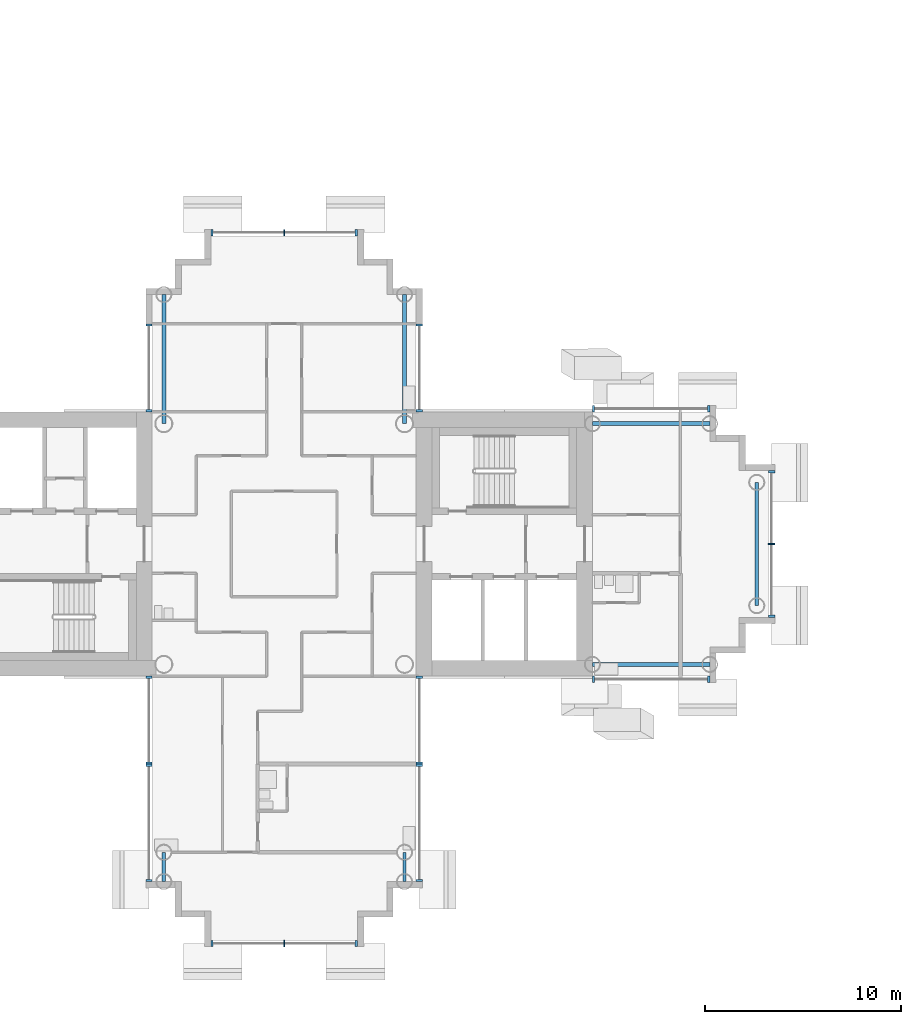
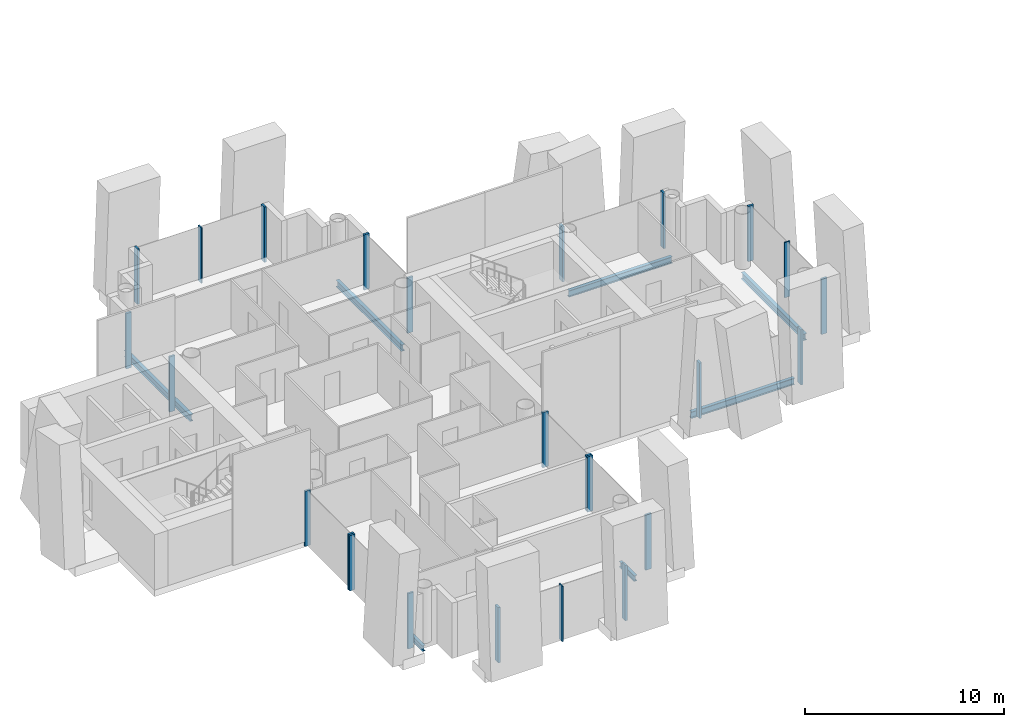
# One storey, part 3 of 18: 25 members, 7 beams, 11 elements without a shape of their own.
"""IFC4 building model written with IfcOpenShell, lengths in metres."""

import ifcopenshell
import ifcopenshell.guid

model = None  # the IFC model being written
_history = None  # IfcOwnerHistory: only IFC2X3 demands one
_inside = {}  # id of a spatial element -> (the spatial element, [elements in it])
_under = {}  # id of a project, library or spatial element -> (it, [spatial elements below it])
_declared = {}  # id of a project -> (the project, [libraries it declares])
_typed = {}  # id of a type object -> (the type object, [elements of that type])
_made_of = {}  # id of a material, layer set ... -> (it, [elements and type objects made of it])


def new_model(schema):
    """Start an empty IFC model of exactly this schema.

    Asked for "IFC4X3", IfcOpenShell would pick the latest addendum, in which some entities
    have other attributes; the version numbers below select the first issue.
    IFC2X3 requires an IfcOwnerHistory on every rooted entity: one is made here for all.
    """
    global model, _history
    if schema == "IFC4X3":
        model = ifcopenshell.file(schema_version=(4, 3, 0, 0))
    else:
        model = ifcopenshell.file(schema=schema)
    _inside.clear()
    _under.clear()
    _declared.clear()
    _typed.clear()
    _made_of.clear()
    _history = None
    if model.schema == "IFC2X3":
        org = make("IfcOrganization", Name="unknown")
        user = make(
            "IfcPersonAndOrganization",
            ThePerson=make("IfcPerson", FamilyName="unknown"),
            TheOrganization=org,
        )
        app = make(
            "IfcApplication",
            ApplicationDeveloper=org,
            Version="unknown",
            ApplicationFullName="unknown",
            ApplicationIdentifier="unknown",
        )
        _history = make(
            "IfcOwnerHistory",
            OwningUser=user,
            OwningApplication=app,
            ChangeAction="ADDED",
            CreationDate=0,
        )
    return model


def make(cls, **values):
    """One entity of the class cls with the attributes given. An attribute that is None is left unset."""
    return model.create_entity(
        cls, **{name: value for name, value in values.items() if value is not None}
    )


def rooted(cls, **values):
    """An entity with a GlobalId (a new one), such as an element, a storey or a relation."""
    return make(cls, GlobalId=ifcopenshell.guid.new(), OwnerHistory=_history, **values)


def si_unit(unit_type, name, prefix=None):
    """IfcSIUnit, for example si_unit("LENGTHUNIT", "METRE", prefix="MILLI")."""
    return make("IfcSIUnit", UnitType=unit_type, Prefix=prefix, Name=name)


def assignment(units):
    """IfcUnitAssignment: the units of a project."""
    return None if units is None else make("IfcUnitAssignment", Units=units)


def point(xyz):
    """IfcCartesianPoint."""
    return None if xyz is None else make("IfcCartesianPoint", Coordinates=xyz)


def direction(xyz):
    """IfcDirection."""
    return None if xyz is None else make("IfcDirection", DirectionRatios=xyz)


def frame(location, z_axis=None, x_axis=None):
    """IfcAxis2Placement3D, a coordinate frame: its origin and axes. An axis left out is left unset."""
    return make(
        "IfcAxis2Placement3D",
        Location=point(location),
        Axis=direction(z_axis),
        RefDirection=direction(x_axis),
    )


def frame_2d(location, x_axis=None):
    """IfcAxis2Placement2D, a coordinate frame in the plane: its origin and x axis."""
    return make(
        "IfcAxis2Placement2D", Location=point(location), RefDirection=direction(x_axis)
    )


def origin():
    """The frame at (0, 0, 0) with its axes left unset."""
    return frame((0.0, 0.0, 0.0))


def origin_2d():
    """The frame at (0, 0) in the plane with its x axis left unset."""
    return frame_2d((0.0, 0.0))


def place(relative_to, where):
    """IfcLocalPlacement: puts the frame where relative to a parent placement (None: the world)."""
    return make(
        "IfcLocalPlacement", PlacementRelTo=relative_to, RelativePlacement=where
    )


def context(
    kind, dimensions, precision=None, world=None, true_north=None, identifier=None
):
    """IfcGeometricRepresentationContext, for example the 3D "Model" context."""
    return make(
        "IfcGeometricRepresentationContext",
        ContextIdentifier=identifier,
        ContextType=kind,
        CoordinateSpaceDimension=dimensions,
        Precision=precision,
        WorldCoordinateSystem=world,
        TrueNorth=true_north,
    )


def subcontext(parent, identifier, kind, view, scale=None):
    """IfcGeometricRepresentationSubContext, for example "Body" below "Model"."""
    return make(
        "IfcGeometricRepresentationSubContext",
        ContextIdentifier=identifier,
        ContextType=kind,
        ParentContext=parent,
        TargetScale=scale,
        TargetView=view,
    )


def project(units=None, contexts=None):
    """IfcProject with its units and contexts."""
    return rooted(
        "IfcProject",
        Name="project",
        RepresentationContexts=contexts,
        UnitsInContext=assignment(units),
    )


def spatial(cls, under=None, at=None, **own):
    """A site, building, storey or space (cls), placed at a placement, below another one or the project."""
    s = rooted(cls, ObjectPlacement=at, **own)
    if under is not None:
        _under.setdefault(under.id(), (under, []))[1].append(s)
    return s


def profile(cls, at=None, kind="AREA", **sizes):
    """A parametric profile (cls). Its sizes go by their IFC names, for example OverallWidth=200.0."""
    return make(cls, ProfileType=kind, Position=at, **sizes)


def rectangle(**sizes):
    """IfcRectangleProfileDef."""
    return profile("IfcRectangleProfileDef", **sizes)


def i_section(**sizes):
    """IfcIShapeProfileDef."""
    return profile("IfcIShapeProfileDef", **sizes)


def extrude(swept, where, along, depth):
    """IfcExtrudedAreaSolid: the profile swept, set in the frame where, extruded along a direction by depth."""
    return make(
        "IfcExtrudedAreaSolid",
        SweptArea=swept,
        Position=where,
        ExtrudedDirection=direction(along),
        Depth=depth,
    )


def shape(context_of_items, identifier, shape_type, items):
    """IfcShapeRepresentation: the items that make up one representation, for example the "Body"."""
    return make(
        "IfcShapeRepresentation",
        ContextOfItems=context_of_items,
        RepresentationIdentifier=identifier,
        RepresentationType=shape_type,
        Items=items,
    )


def material(Name=None, Category=None):
    """IfcMaterial."""
    return make("IfcMaterial", Name=Name, Category=Category)


def layer(
    of_material, thickness, ventilated=None, Name=None, Category=None, Priority=None
):
    """IfcMaterialLayer: one layer of a wall or slab, of a material (None: an air gap)."""
    return make(
        "IfcMaterialLayer",
        Material=of_material,
        LayerThickness=thickness,
        IsVentilated=ventilated,
        Name=Name,
        Category=Category,
        Priority=Priority,
    )


def layer_set(layers, Name=None):
    """IfcMaterialLayerSet."""
    return make("IfcMaterialLayerSet", MaterialLayers=layers, LayerSetName=Name)


def material_profile(
    of_material, cross_section, Name=None, Category=None, Priority=None
):
    """IfcMaterialProfile: a cross section and its material."""
    return make(
        "IfcMaterialProfile",
        Name=Name,
        Material=of_material,
        Profile=cross_section,
        Priority=Priority,
        Category=Category,
    )


def profile_set(profiles, Name=None, composite=None):
    """IfcMaterialProfileSet."""
    return make(
        "IfcMaterialProfileSet",
        Name=Name,
        MaterialProfiles=profiles,
        CompositeProfile=composite,
    )


def made_of(thing, what):
    """Note that an element or type object is made of a material, layer set ...; save() writes the relation."""
    if what is not None:
        _made_of.setdefault(what.id(), (what, []))[1].append(thing)
    return thing


def type_object(cls, material=None, **own):
    """A type object (cls), such as IfcWallType, which elements share."""
    return made_of(rooted(cls, **own), material)


def element(
    cls,
    number,
    at=None,
    inside=None,
    cuts=None,
    type_object=None,
    material=None,
    context=None,
    identifier="Body",
    shape_type=None,
    held_by="IfcProductDefinitionShape",
    body=None,
    shapes=None,
    **own,
):
    """One element of the class cls, such as IfcWall. Its Tag is "e" and its number.

    at: its placement. inside: the storey or other place that contains it. cuts: it is an
    opening in that element (IfcRelVoidsElement). A single representation is given by context,
    identifier, shape_type and body (its items); several are given by shapes. held_by: the class
    of the entity that holds the representations. save() writes the other relations.
    """
    e = rooted(cls, Tag="e%d" % number, ObjectPlacement=at, **own)
    if body is not None:
        shapes = [shape(context, identifier, shape_type, body)]
    if shapes is not None:
        e.Representation = make(held_by, Representations=shapes)
    if inside is not None:
        _inside.setdefault(inside.id(), (inside, []))[1].append(e)
    if cuts is not None:
        rooted(
            "IfcRelVoidsElement", RelatingBuildingElement=cuts, RelatedOpeningElement=e
        )
    if type_object is not None:
        _typed.setdefault(type_object.id(), (type_object, []))[1].append(e)
    return made_of(e, material)


def aggregate(whole, parts):
    """IfcRelAggregates: a whole, such as a stair, and the parts it consists of."""
    return rooted("IfcRelAggregates", RelatingObject=whole, RelatedObjects=parts)


def save(model, path):
    """Write the relations noted so far, then the file.

    IfcRelAggregates (storeys below a building ...), IfcRelContainedInSpatialStructure (elements
    in a storey), IfcRelDefinesByType, IfcRelAssociatesMaterial and IfcRelDeclares: one each for
    every whole, place, type object, material and project.
    """
    for whole, parts in _under.values():
        aggregate(whole, parts)
    for where, things in _inside.values():
        rooted(
            "IfcRelContainedInSpatialStructure",
            RelatedElements=things,
            RelatingStructure=where,
        )
    for kind, things in _typed.values():
        rooted("IfcRelDefinesByType", RelatedObjects=things, RelatingType=kind)
    for what, things in _made_of.values():
        rooted("IfcRelAssociatesMaterial", RelatedObjects=things, RelatingMaterial=what)
    for by, libraries in _declared.values():
        rooted("IfcRelDeclares", RelatingContext=by, RelatedDefinitions=libraries)
    model.write(path)


model = new_model("IFC4")

# Units and contexts
model_context = context("Model", 3, precision=1e-05, world=origin(), true_north=direction((0.0, 1.0)))
body_context = subcontext(model_context, "Body", "Model", "MODEL_VIEW")
ifc_project = project(units=[si_unit("LENGTHUNIT", "METRE"), si_unit("AREAUNIT", "SQUARE_METRE"), si_unit("VOLUMEUNIT", "CUBIC_METRE"), si_unit("PLANEANGLEUNIT", "RADIAN"), si_unit("MASSUNIT", "GRAM", prefix="KILO")], contexts=[model_context])

# Site, building, storey
site_placement = place(None, origin())
site = spatial("IfcSite", under=ifc_project, at=site_placement, CompositionType="ELEMENT")
building_placement = place(site_placement, origin())
building = spatial("IfcBuilding", under=site, at=building_placement, Name="Ipe Terrace Towers", CompositionType="ELEMENT")
storey_placement = place(building_placement, frame((0.0, 0.0, 143.89990234375)))
storey = spatial("IfcBuildingStorey", under=building, at=storey_placement, Name="L39", CompositionType="ELEMENT", Elevation=143.89990234375)

# Beams
ifc_material_1 = material(Name="Steel S355", Category="steel")
ifc_material_profile_1 = material_profile(ifc_material_1, i_section(OverallWidth=0.175048828125, OverallDepth=0.35009765625, WebThickness=0.007080078125, FlangeThickness=0.010986328125, at=origin_2d()), Name="H-350x175x7x11")
ifc_profile_set_1 = profile_set([ifc_material_profile_1], Name="Steel S355")
beam_type_1 = type_object("IfcBeamType", Name="H04 EDGE BEAM H-350x175x7x11", PredefinedType="BEAM", material=ifc_profile_set_1)
for number, where, z_axis, x_axis, name in (
    (1, (-42.14990234375, -15.75, -0.574951171875), (0.0, -1.0, 0.0), (1.0, 0.0, 0.0), "Edge beam T1-EB-D03-D05"),
    (2, (-29.85009765625, -15.75, -0.574951171875), (0.0, -1.0, 0.0), (1.0, 0.0, 0.0), "Edge beam T1-EB-D04-D06"),
):
    element("IfcBeam", number, at=place(storey_placement, frame(where, z_axis=z_axis, x_axis=x_axis)), inside=storey, type_object=beam_type_1, Name=name, PredefinedType="BEAM", context=body_context, shape_type="SweptSolid", body=[
        extrude(i_section(OverallWidth=0.175048828125, OverallDepth=0.35009765625, WebThickness=0.007080078125, FlangeThickness=0.010986328125, at=origin_2d()), origin(), (0.0, 0.0, 1.0), 1.5),
    ])
ifc_material_2 = material(Name="Steel S355", Category="steel")
ifc_material_profile_2 = material_profile(ifc_material_2, i_section(OverallWidth=0.199951171875, OverallDepth=0.39990234375, WebThickness=0.008056640625, FlangeThickness=0.012939453125, at=origin_2d()), Name="H-400x200x8x13")
ifc_profile_set_2 = profile_set([ifc_material_profile_2], Name="Steel S355")
beam_type_2 = type_object("IfcBeamType", Name="H06 EDGE BEAM H-400x200x8x13", PredefinedType="BEAM", material=ifc_profile_set_2)
for number, where, z_axis, x_axis, name in (
    (3, (-20.25, -6.14990234375, -0.599853515625), (1.0, 0.0, 0.0), (0.0, 1.0, 0.0), "Edge beam T1-EB-A01-A03"),
    (4, (-20.25, 6.14990234375, -0.599853515625), (1.0, 0.0, 0.0), (0.0, 1.0, 0.0), "Edge beam T1-EB-A02-A04"),
):
    element("IfcBeam", number, at=place(storey_placement, frame(where, z_axis=z_axis, x_axis=x_axis)), inside=storey, type_object=beam_type_2, Name=name, PredefinedType="BEAM", context=body_context, shape_type="SweptSolid", body=[
        extrude(i_section(OverallWidth=0.199951171875, OverallDepth=0.39990234375, WebThickness=0.008056640625, FlangeThickness=0.012939453125, at=origin_2d()), origin(), (0.0, 0.0, 1.0), 6.0),
    ])
beam_placement = place(storey_placement, frame((-11.85009765625, -3.14990234375, -0.599853515625), z_axis=(0.0, 1.0, 0.0), x_axis=(-1.0, 0.0, 0.0)))
element("IfcBeam", 5, at=beam_placement, inside=storey, type_object=beam_type_2, Name="Edge beam T1-EB-A05-A06", PredefinedType="BEAM", context=body_context, shape_type="SweptSolid", body=[
    extrude(i_section(OverallWidth=0.199951171875, OverallDepth=0.39990234375, WebThickness=0.008056640625, FlangeThickness=0.012939453125, at=origin_2d()), origin(), (0.0, 0.0, 1.0), 6.2998046875),
])
for number, where, z_axis, x_axis, name in (
    (6, (-29.85009765625, 12.75, -0.599853515625), (0.0, -1.0, 0.0), (1.0, 0.0, 0.0), "Edge beam T1-EB-B01-E03"),
    (7, (-42.14990234375, 12.75, -0.599853515625), (0.0, -1.0, 0.0), (1.0, 0.0, 0.0), "Edge beam T1-EB-B02-E04"),
):
    element("IfcBeam", number, at=place(storey_placement, frame(where, z_axis=z_axis, x_axis=x_axis)), inside=storey, type_object=beam_type_2, Name=name, PredefinedType="BEAM", context=body_context, shape_type="SweptSolid", body=[
        extrude(i_section(OverallWidth=0.199951171875, OverallDepth=0.39990234375, WebThickness=0.008056640625, FlangeThickness=0.012939453125, at=origin_2d()), origin(), (0.0, 0.0, 1.0), 6.60009765625),
    ])

# Curtain wall, members
ifc_material_3 = material(Name="Aluminium alloy 6063-T6", Category="aluminium")
ifc_layer = layer(ifc_material_3, 0.320068359375)
ifc_layer_set = layer_set([ifc_layer], Name="TOWER UNITISED CURTAIN WALL")
curtain_wall_type = type_object("IfcCurtainWallType", Name="TOWER UNITISED CURTAIN WALL", PredefinedType="NOTDEFINED", material=ifc_layer_set)
curtain_wall_1_placement = place(storey_placement, origin())
curtain_wall_1 = element("IfcCurtainWall", 8, at=curtain_wall_1_placement, inside=storey, type_object=curtain_wall_type, Name="T1-CW-L39-02a curtain wall", PredefinedType="NOTDEFINED")
ifc_material_4 = material(Name="Aluminium alloy 6063-T6", Category="aluminium")
ifc_material_profile_3 = material_profile(ifc_material_4, rectangle(XDim=0.320068359375, YDim=0.1201171875, at=origin_2d()), Name="TOWER UNITISED CORNER MULLION 320 x 120")
ifc_profile_set_3 = profile_set([ifc_material_profile_3], Name="Aluminium alloy 6063-T6")
member_type_1 = type_object("IfcMemberType", Name="TOWER UNITISED CORNER MULLION 320 x 120", PredefinedType="MULLION", material=ifc_profile_set_3)
member_1_placement = place(storey_placement, frame((-42.909912109375, -6.81005859375, -0.2998046875), z_axis=(0.0, 0.0, 1.0), x_axis=(-1.0, 0.0, 0.0)))
member_1 = element("IfcMember", 9, at=member_1_placement, type_object=member_type_1, Name="T1-CW-L39-02a mullion 1", PredefinedType="MULLION", context=body_context, shape_type="SweptSolid", body=[
    extrude(rectangle(XDim=0.320068359375, YDim=0.1201171875, at=origin_2d()), origin(), (0.0, 0.0, 1.0), 3.39990234375),
])
member_2_placement = place(storey_placement, frame((-42.909912109375, -11.18994140625, -0.2998046875), z_axis=(0.0, 0.0, 1.0), x_axis=(-1.0, 0.0, 0.0)))
member_2 = element("IfcMember", 10, at=member_2_placement, type_object=member_type_1, Name="T1-CW-L39-02a mullion 2", PredefinedType="MULLION", context=body_context, shape_type="SweptSolid", body=[
    extrude(rectangle(XDim=0.320068359375, YDim=0.1201171875, at=origin_2d()), origin(), (0.0, 0.0, 1.0), 3.39990234375),
])
aggregate(curtain_wall_1, [member_1, member_2])

curtain_wall_2_placement = place(storey_placement, origin())
curtain_wall_2 = element("IfcCurtainWall", 11, at=curtain_wall_2_placement, inside=storey, type_object=curtain_wall_type, Name="T1-CW-L39-03a curtain wall", PredefinedType="NOTDEFINED")
member_3_placement = place(storey_placement, frame((-42.909912109375, -11.31005859375, -0.2998046875), z_axis=(0.0, 0.0, 1.0), x_axis=(-1.0, 0.0, 0.0)))
member_3 = element("IfcMember", 12, at=member_3_placement, type_object=member_type_1, Name="T1-CW-L39-03a mullion 1", PredefinedType="MULLION", context=body_context, shape_type="SweptSolid", body=[
    extrude(rectangle(XDim=0.320068359375, YDim=0.1201171875, at=origin_2d()), origin(), (0.0, 0.0, 1.0), 3.39990234375),
])
member_4_placement = place(storey_placement, frame((-42.909912109375, -17.18994140625, -0.2998046875), z_axis=(0.0, 0.0, 1.0), x_axis=(-1.0, 0.0, 0.0)))
member_4 = element("IfcMember", 13, at=member_4_placement, type_object=member_type_1, Name="T1-CW-L39-03a mullion 2", PredefinedType="MULLION", context=body_context, shape_type="SweptSolid", body=[
    extrude(rectangle(XDim=0.320068359375, YDim=0.1201171875, at=origin_2d()), origin(), (0.0, 0.0, 1.0), 3.39990234375),
])
aggregate(curtain_wall_2, [member_3, member_4])

curtain_wall_3_placement = place(storey_placement, origin())
curtain_wall_3 = element("IfcCurtainWall", 14, at=curtain_wall_3_placement, inside=storey, type_object=curtain_wall_type, Name="T1-CW-L39-08a curtain wall", PredefinedType="NOTDEFINED")
member_5_placement = place(storey_placement, frame((-39.68994140625, -20.409912109375, -0.2998046875), z_axis=(0.0, 0.0, 1.0), x_axis=(0.0, -1.0, 0.0)))
member_5 = element("IfcMember", 15, at=member_5_placement, type_object=member_type_1, Name="T1-CW-L39-08a mullion 1", PredefinedType="MULLION", context=body_context, shape_type="SweptSolid", body=[
    extrude(rectangle(XDim=0.320068359375, YDim=0.1201171875, at=origin_2d()), origin(), (0.0, 0.0, 1.0), 3.39990234375),
])
member_6_placement = place(storey_placement, frame((-32.31005859375, -20.409912109375, -0.2998046875), z_axis=(0.0, 0.0, 1.0), x_axis=(0.0, -1.0, 0.0)))
member_6 = element("IfcMember", 16, at=member_6_placement, type_object=member_type_1, Name="T1-CW-L39-08a mullion 3", PredefinedType="MULLION", context=body_context, shape_type="SweptSolid", body=[
    extrude(rectangle(XDim=0.320068359375, YDim=0.1201171875, at=origin_2d()), origin(), (0.0, 0.0, 1.0), 3.39990234375),
])

curtain_wall_4_placement = place(storey_placement, origin())
curtain_wall_4 = element("IfcCurtainWall", 17, at=curtain_wall_4_placement, inside=storey, type_object=curtain_wall_type, Name="T1-CW-L39-13a curtain wall", PredefinedType="NOTDEFINED")
member_7_placement = place(storey_placement, frame((-29.090087890625, -17.18994140625, -0.2998046875), z_axis=(0.0, 0.0, 1.0), x_axis=(1.0, 0.0, 0.0)))
member_7 = element("IfcMember", 18, at=member_7_placement, type_object=member_type_1, Name="T1-CW-L39-13a mullion 1", PredefinedType="MULLION", context=body_context, shape_type="SweptSolid", body=[
    extrude(rectangle(XDim=0.320068359375, YDim=0.1201171875, at=origin_2d()), origin(), (0.0, 0.0, 1.0), 3.39990234375),
])
member_8_placement = place(storey_placement, frame((-29.090087890625, -11.31005859375, -0.2998046875), z_axis=(0.0, 0.0, 1.0), x_axis=(1.0, 0.0, 0.0)))
member_8 = element("IfcMember", 19, at=member_8_placement, type_object=member_type_1, Name="T1-CW-L39-13a mullion 2", PredefinedType="MULLION", context=body_context, shape_type="SweptSolid", body=[
    extrude(rectangle(XDim=0.320068359375, YDim=0.1201171875, at=origin_2d()), origin(), (0.0, 0.0, 1.0), 3.39990234375),
])
aggregate(curtain_wall_4, [member_7, member_8])

curtain_wall_5_placement = place(storey_placement, origin())
curtain_wall_5 = element("IfcCurtainWall", 20, at=curtain_wall_5_placement, inside=storey, type_object=curtain_wall_type, Name="T1-CW-L39-14a curtain wall", PredefinedType="NOTDEFINED")
member_9_placement = place(storey_placement, frame((-29.090087890625, -11.18994140625, -0.2998046875), z_axis=(0.0, 0.0, 1.0), x_axis=(1.0, 0.0, 0.0)))
member_9 = element("IfcMember", 21, at=member_9_placement, type_object=member_type_1, Name="T1-CW-L39-14a mullion 1", PredefinedType="MULLION", context=body_context, shape_type="SweptSolid", body=[
    extrude(rectangle(XDim=0.320068359375, YDim=0.1201171875, at=origin_2d()), origin(), (0.0, 0.0, 1.0), 3.39990234375),
])
member_10_placement = place(storey_placement, frame((-29.090087890625, -6.81005859375, -0.2998046875), z_axis=(0.0, 0.0, 1.0), x_axis=(1.0, 0.0, 0.0)))
member_10 = element("IfcMember", 22, at=member_10_placement, type_object=member_type_1, Name="T1-CW-L39-14a mullion 2", PredefinedType="MULLION", context=body_context, shape_type="SweptSolid", body=[
    extrude(rectangle(XDim=0.320068359375, YDim=0.1201171875, at=origin_2d()), origin(), (0.0, 0.0, 1.0), 3.39990234375),
])
aggregate(curtain_wall_5, [member_9, member_10])

curtain_wall_6_placement = place(storey_placement, origin())
curtain_wall_6 = element("IfcCurtainWall", 23, at=curtain_wall_6_placement, inside=storey, type_object=curtain_wall_type, Name="T1-CW-L39-16b curtain wall", PredefinedType="NOTDEFINED")
member_11_placement = place(storey_placement, frame((-20.18896484375, -6.909912109375, -0.2998046875), z_axis=(0.0, 0.0, 1.0), x_axis=(0.0, -1.0, 0.0)))
member_11 = element("IfcMember", 24, at=member_11_placement, type_object=member_type_1, Name="T1-CW-L39-16b mullion 1", PredefinedType="MULLION", context=body_context, shape_type="SweptSolid", body=[
    extrude(rectangle(XDim=0.320068359375, YDim=0.1201171875, at=origin_2d()), origin(), (0.0, 0.0, 1.0), 3.39990234375),
])
member_12_placement = place(storey_placement, frame((-14.31005859375, -6.909912109375, -0.2998046875), z_axis=(0.0, 0.0, 1.0), x_axis=(0.0, -1.0, 0.0)))
member_12 = element("IfcMember", 25, at=member_12_placement, type_object=member_type_1, Name="T1-CW-L39-16b mullion 2", PredefinedType="MULLION", context=body_context, shape_type="SweptSolid", body=[
    extrude(rectangle(XDim=0.320068359375, YDim=0.1201171875, at=origin_2d()), origin(), (0.0, 0.0, 1.0), 3.39990234375),
])
aggregate(curtain_wall_6, [member_11, member_12])

curtain_wall_7_placement = place(storey_placement, origin())
curtain_wall_7 = element("IfcCurtainWall", 26, at=curtain_wall_7_placement, inside=storey, type_object=curtain_wall_type, Name="T1-CW-L39-21a curtain wall", PredefinedType="NOTDEFINED")
member_13_placement = place(storey_placement, frame((-11.090087890625, -3.68994140625, -0.2998046875), z_axis=(0.0, 0.0, 1.0), x_axis=(1.0, 0.0, 0.0)))
member_13 = element("IfcMember", 27, at=member_13_placement, type_object=member_type_1, Name="T1-CW-L39-21a mullion 1", PredefinedType="MULLION", context=body_context, shape_type="SweptSolid", body=[
    extrude(rectangle(XDim=0.320068359375, YDim=0.1201171875, at=origin_2d()), origin(), (0.0, 0.0, 1.0), 3.39990234375),
])
member_14_placement = place(storey_placement, frame((-11.090087890625, 3.68994140625, -0.2998046875), z_axis=(0.0, 0.0, 1.0), x_axis=(1.0, 0.0, 0.0)))
member_14 = element("IfcMember", 28, at=member_14_placement, type_object=member_type_1, Name="T1-CW-L39-21a mullion 3", PredefinedType="MULLION", context=body_context, shape_type="SweptSolid", body=[
    extrude(rectangle(XDim=0.320068359375, YDim=0.1201171875, at=origin_2d()), origin(), (0.0, 0.0, 1.0), 3.39990234375),
])

curtain_wall_8_placement = place(storey_placement, origin())
curtain_wall_8 = element("IfcCurtainWall", 29, at=curtain_wall_8_placement, inside=storey, type_object=curtain_wall_type, Name="T1-CW-L39-26a curtain wall", PredefinedType="NOTDEFINED")
member_15_placement = place(storey_placement, frame((-14.31005859375, 6.909912109375, -0.2998046875), z_axis=(0.0, 0.0, 1.0), x_axis=(0.0, 1.0, 0.0)))
member_15 = element("IfcMember", 30, at=member_15_placement, type_object=member_type_1, Name="T1-CW-L39-26a mullion 1", PredefinedType="MULLION", context=body_context, shape_type="SweptSolid", body=[
    extrude(rectangle(XDim=0.320068359375, YDim=0.1201171875, at=origin_2d()), origin(), (0.0, 0.0, 1.0), 3.39990234375),
])
member_16_placement = place(storey_placement, frame((-20.18896484375, 6.909912109375, -0.2998046875), z_axis=(0.0, 0.0, 1.0), x_axis=(0.0, 1.0, 0.0)))
member_16 = element("IfcMember", 31, at=member_16_placement, type_object=member_type_1, Name="T1-CW-L39-26a mullion 2", PredefinedType="MULLION", context=body_context, shape_type="SweptSolid", body=[
    extrude(rectangle(XDim=0.320068359375, YDim=0.1201171875, at=origin_2d()), origin(), (0.0, 0.0, 1.0), 3.39990234375),
])
aggregate(curtain_wall_8, [member_15, member_16])

curtain_wall_9_placement = place(storey_placement, origin())
curtain_wall_9 = element("IfcCurtainWall", 32, at=curtain_wall_9_placement, inside=storey, type_object=curtain_wall_type, Name="T1-CW-L39-28a curtain wall", PredefinedType="NOTDEFINED")
member_17_placement = place(storey_placement, frame((-29.090087890625, 6.81005859375, -0.2998046875), z_axis=(0.0, 0.0, 1.0), x_axis=(1.0, 0.0, 0.0)))
member_17 = element("IfcMember", 33, at=member_17_placement, type_object=member_type_1, Name="T1-CW-L39-28a mullion 1", PredefinedType="MULLION", context=body_context, shape_type="SweptSolid", body=[
    extrude(rectangle(XDim=0.320068359375, YDim=0.1201171875, at=origin_2d()), origin(), (0.0, 0.0, 1.0), 3.39990234375),
])
member_18_placement = place(storey_placement, frame((-29.090087890625, 11.18994140625, -0.2998046875), z_axis=(0.0, 0.0, 1.0), x_axis=(1.0, 0.0, 0.0)))
member_18 = element("IfcMember", 34, at=member_18_placement, type_object=member_type_1, Name="T1-CW-L39-28a mullion 2", PredefinedType="MULLION", context=body_context, shape_type="SweptSolid", body=[
    extrude(rectangle(XDim=0.320068359375, YDim=0.1201171875, at=origin_2d()), origin(), (0.0, 0.0, 1.0), 3.39990234375),
])
aggregate(curtain_wall_9, [member_17, member_18])

curtain_wall_10_placement = place(storey_placement, origin())
curtain_wall_10 = element("IfcCurtainWall", 35, at=curtain_wall_10_placement, inside=storey, type_object=curtain_wall_type, Name="T1-CW-L39-34a curtain wall", PredefinedType="NOTDEFINED")
member_19_placement = place(storey_placement, frame((-32.31005859375, 15.909912109375, -0.2998046875), z_axis=(0.0, 0.0, 1.0), x_axis=(0.0, 1.0, 0.0)))
member_19 = element("IfcMember", 36, at=member_19_placement, type_object=member_type_1, Name="T1-CW-L39-34a mullion 1", PredefinedType="MULLION", context=body_context, shape_type="SweptSolid", body=[
    extrude(rectangle(XDim=0.320068359375, YDim=0.1201171875, at=origin_2d()), origin(), (0.0, 0.0, 1.0), 3.39990234375),
])
member_20_placement = place(storey_placement, frame((-39.68994140625, 15.909912109375, -0.2998046875), z_axis=(0.0, 0.0, 1.0), x_axis=(0.0, 1.0, 0.0)))
member_20 = element("IfcMember", 37, at=member_20_placement, type_object=member_type_1, Name="T1-CW-L39-34a mullion 3", PredefinedType="MULLION", context=body_context, shape_type="SweptSolid", body=[
    extrude(rectangle(XDim=0.320068359375, YDim=0.1201171875, at=origin_2d()), origin(), (0.0, 0.0, 1.0), 3.39990234375),
])

curtain_wall_11_placement = place(storey_placement, origin())
curtain_wall_11 = element("IfcCurtainWall", 38, at=curtain_wall_11_placement, inside=storey, type_object=curtain_wall_type, Name="T1-CW-L39-40a curtain wall", PredefinedType="NOTDEFINED")
member_21_placement = place(storey_placement, frame((-42.909912109375, 11.18994140625, -0.2998046875), z_axis=(0.0, 0.0, 1.0), x_axis=(-1.0, 0.0, 0.0)))
member_21 = element("IfcMember", 39, at=member_21_placement, type_object=member_type_1, Name="T1-CW-L39-40a mullion 1", PredefinedType="MULLION", context=body_context, shape_type="SweptSolid", body=[
    extrude(rectangle(XDim=0.320068359375, YDim=0.1201171875, at=origin_2d()), origin(), (0.0, 0.0, 1.0), 3.39990234375),
])
member_22_placement = place(storey_placement, frame((-42.909912109375, 6.81005859375, -0.2998046875), z_axis=(0.0, 0.0, 1.0), x_axis=(-1.0, 0.0, 0.0)))
member_22 = element("IfcMember", 40, at=member_22_placement, type_object=member_type_1, Name="T1-CW-L39-40a mullion 2", PredefinedType="MULLION", context=body_context, shape_type="SweptSolid", body=[
    extrude(rectangle(XDim=0.320068359375, YDim=0.1201171875, at=origin_2d()), origin(), (0.0, 0.0, 1.0), 3.39990234375),
])
aggregate(curtain_wall_11, [member_21, member_22])

# Member
ifc_material_5 = material(Name="Aluminium alloy 6063-T6", Category="aluminium")
ifc_material_profile_4 = material_profile(ifc_material_5, rectangle(XDim=0.320068359375, YDim=0.06494140625, at=origin_2d()), Name="TOWER UNITISED MULLION 320 x 65")
ifc_profile_set_4 = profile_set([ifc_material_profile_4], Name="Aluminium alloy 6063-T6")
member_type_2 = type_object("IfcMemberType", Name="TOWER UNITISED MULLION 320 x 65", PredefinedType="MULLION", material=ifc_profile_set_4)
member_23_placement = place(storey_placement, frame((-36.0, -20.409912109375, -0.2998046875), z_axis=(0.0, 0.0, 1.0), x_axis=(0.0, -1.0, 0.0)))
member_23 = element("IfcMember", 41, at=member_23_placement, type_object=member_type_2, Name="T1-CW-L39-08a mullion 2", PredefinedType="MULLION", context=body_context, shape_type="SweptSolid", body=[
    extrude(rectangle(XDim=0.320068359375, YDim=0.06494140625, at=origin_2d()), origin(), (0.0, 0.0, 1.0), 3.39990234375),
])

aggregate(curtain_wall_3, [member_5, member_23, member_6])

member_24_placement = place(storey_placement, frame((-11.090087890625, 0.0, -0.2998046875), z_axis=(0.0, 0.0, 1.0), x_axis=(1.0, 0.0, 0.0)))
member_24 = element("IfcMember", 42, at=member_24_placement, type_object=member_type_2, Name="T1-CW-L39-21a mullion 2", PredefinedType="MULLION", context=body_context, shape_type="SweptSolid", body=[
    extrude(rectangle(XDim=0.320068359375, YDim=0.06494140625, at=origin_2d()), origin(), (0.0, 0.0, 1.0), 3.39990234375),
])

aggregate(curtain_wall_7, [member_13, member_24, member_14])

member_25_placement = place(storey_placement, frame((-36.0, 15.909912109375, -0.2998046875), z_axis=(0.0, 0.0, 1.0), x_axis=(0.0, 1.0, 0.0)))
member_25 = element("IfcMember", 43, at=member_25_placement, type_object=member_type_2, Name="T1-CW-L39-34a mullion 2", PredefinedType="MULLION", context=body_context, shape_type="SweptSolid", body=[
    extrude(rectangle(XDim=0.320068359375, YDim=0.06494140625, at=origin_2d()), origin(), (0.0, 0.0, 1.0), 3.39990234375),
])

aggregate(curtain_wall_10, [member_19, member_25, member_20])

save(model, "model.ifc")
